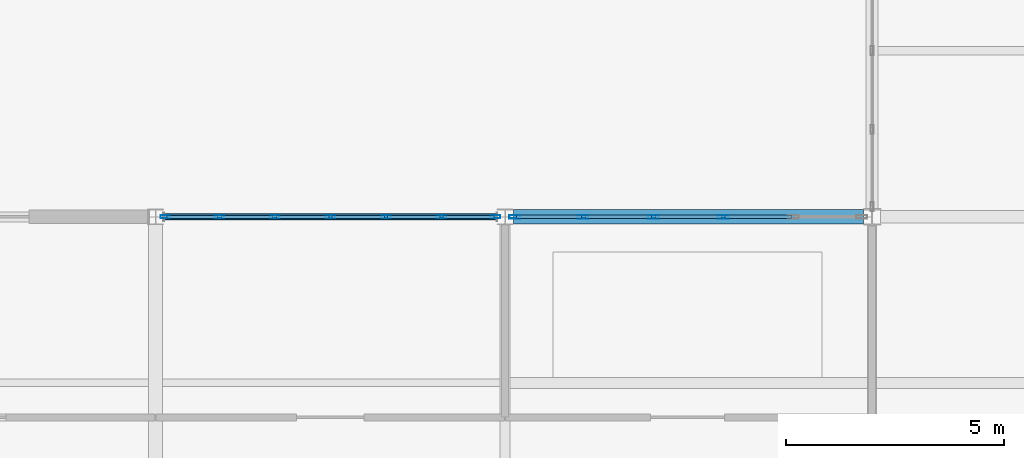
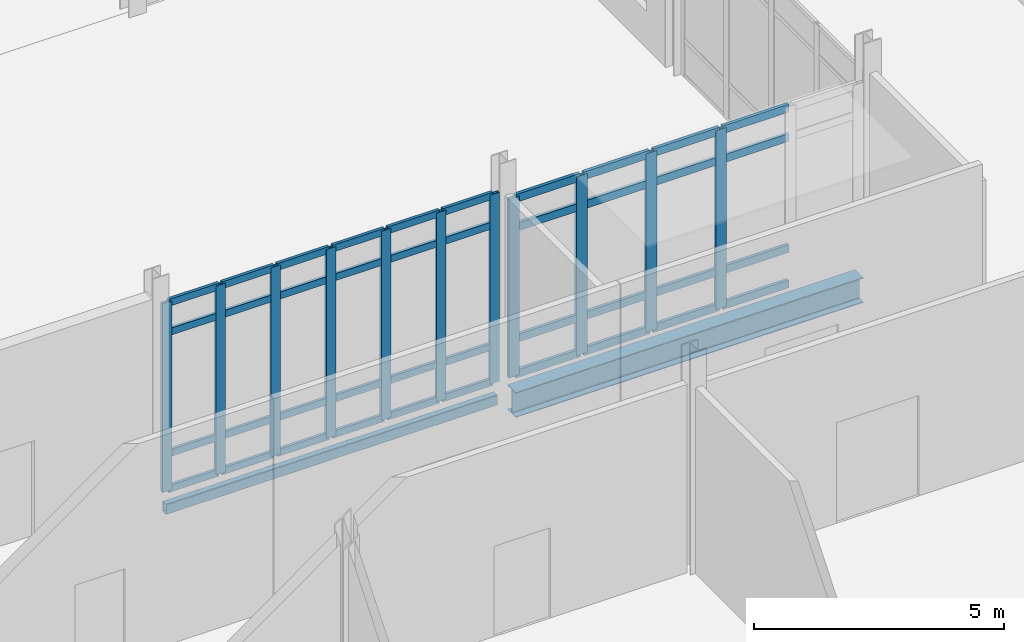
# One storey, part 105 of 229: 51 members, 2 beams, 2 elements without a shape of their own.
"""IFC4 building model written with IfcOpenShell, lengths in metres."""

from ifc_helpers import new_model, si_unit, direction, frame, origin, origin_2d, place, context, subcontext, project, spatial, hollow_rectangle, i_section, extrude, material, layer, layer_set, material_profile, profile_set, type_object, element, aggregate, save


model = new_model("IFC4")

# Units and contexts
model_context = context("Model", 3, precision=1e-05, world=origin(), true_north=direction((0.0, 1.0)))
body_context = subcontext(model_context, "Body", "Model", "MODEL_VIEW")
ifc_project = project(units=[si_unit("LENGTHUNIT", "METRE"), si_unit("AREAUNIT", "SQUARE_METRE"), si_unit("VOLUMEUNIT", "CUBIC_METRE"), si_unit("PLANEANGLEUNIT", "RADIAN"), si_unit("MASSUNIT", "GRAM", prefix="KILO")], contexts=[model_context])

# Site, building, storey
site_placement = place(None, origin())
site = spatial("IfcSite", under=ifc_project, at=site_placement, CompositionType="ELEMENT")
building_placement = place(site_placement, origin())
building = spatial("IfcBuilding", under=site, at=building_placement, Name="Calvrana Isthmian Art Gallery", CompositionType="ELEMENT")
storey_placement = place(building_placement, origin())
storey = spatial("IfcBuildingStorey", under=building, at=storey_placement, Name="L00", CompositionType="ELEMENT", Elevation=0.0)

# Beams
ifc_material_1 = material(Name="Steel ASTM A992 Gr 50", Category="steel")
ifc_material_profile_1 = material_profile(ifc_material_1, i_section(OverallWidth=0.324951171875, OverallDepth=0.612060546875, WebThickness=0.0126953125, FlangeThickness=0.01904296875, FilletRadius=0.02197265625, at=origin_2d()), Name="W24X104")
ifc_profile_set_1 = profile_set([ifc_material_profile_1], Name="Steel ASTM A992 Gr 50")
beam_type_1 = type_object("IfcBeamType", Name="BM-G-W24X104", PredefinedType="BEAM", material=ifc_profile_set_1)
beam_1_placement = place(storey_placement, frame((104.58642578125, 62.0, -0.611083984375), z_axis=(1.0, 0.0, 0.0), x_axis=(0.0, 1.0, 0.0)))
element("IfcBeam", 1, at=beam_1_placement, inside=storey, type_object=beam_type_1, Name="Girder X L00 14-15/I", PredefinedType="BEAM", context=body_context, shape_type="SweptSolid", body=[
    extrude(i_section(OverallWidth=0.324951171875, OverallDepth=0.612060546875, WebThickness=0.0126953125, FlangeThickness=0.01904296875, FilletRadius=0.02197265625, at=origin_2d()), origin(), (0.0, 0.0, 1.0), 8.015625),
])
ifc_material_2 = material(Name="Steel ASTM A500 Gr C", Category="steel")
ifc_material_profile_2 = material_profile(ifc_material_2, hollow_rectangle(XDim=0.15234375, YDim=0.25390625, WallThickness=0.009521484375, OuterFilletRadius=0.01904296875, at=origin_2d()), Name="HSS254X152X9.5")
ifc_profile_set_2 = profile_set([ifc_material_profile_2], Name="Steel ASTM A500 Gr C")
beam_type_2 = type_object("IfcBeamType", Name="BM-SP-HSS254", PredefinedType="SPANDREL", material=ifc_profile_set_2)
beam_2_placement = place(storey_placement, frame((96.583984375, 62.0, -0.412109375), z_axis=(1.0, 0.0, 0.0), x_axis=(0.0, 1.0, 0.0)))
element("IfcBeam", 2, at=beam_2_placement, inside=storey, type_object=beam_type_2, Name="Girder X L00 13-14/I", PredefinedType="SPANDREL", context=body_context, shape_type="SweptSolid", body=[
    extrude(hollow_rectangle(XDim=0.15234375, YDim=0.25390625, WallThickness=0.009521484375, OuterFilletRadius=0.01904296875, at=origin_2d()), origin(), (0.0, 0.0, 1.0), 7.62939453125),
])

# Curtain wall, members
ifc_material_3 = material(Name="Anodized bronze aluminium 6063-T6", Category="aluminium")
ifc_layer_1 = layer(ifc_material_3, 0.179931640625, Name="Anodized bronze aluminium 6063-T6")
ifc_layer_set_1 = layer_set([ifc_layer_1], Name="Anodized bronze aluminium 6063-T6")
curtain_wall_type_1 = type_object("IfcCurtainWallType", Name="CW-UNIT-076X46", PredefinedType="USERDEFINED", material=ifc_layer_set_1)
curtain_wall_1_placement = place(storey_placement, origin())
curtain_wall_1 = element("IfcCurtainWall", 3, at=curtain_wall_1_placement, inside=storey, type_object=curtain_wall_type_1, Name="Curtain wall CW-028", ObjectType="UNITISED CURTAIN WALL", PredefinedType="USERDEFINED")
ifc_material_profile_3 = material_profile(ifc_material_3, hollow_rectangle(XDim=0.074951171875, YDim=0.219970703125, WallThickness=0.0048828125, at=origin_2d()), Name="CWM75X220")
ifc_profile_set_3 = profile_set([ifc_material_profile_3], Name="Anodized bronze aluminium 6063-T6")
member_type_1 = type_object("IfcMemberType", Name="CWM-CWM75X220", PredefinedType="MULLION", material=ifc_profile_set_3)
member_1_placement = place(storey_placement, frame((96.623046875, 62.0, 0.0), z_axis=(0.0, 0.0, 1.0), x_axis=(0.0, 1.0, 0.0)))
member_1 = element("IfcMember", 4, at=member_1_placement, type_object=member_type_1, Name="CW-028 mullion 1", PredefinedType="MULLION", context=body_context, shape_type="SweptSolid", body=[
    extrude(hollow_rectangle(XDim=0.074951171875, YDim=0.219970703125, WallThickness=0.0048828125, at=origin_2d()), origin(), (0.0, 0.0, 1.0), 4.60693359375),
])
member_2_placement = place(storey_placement, frame((97.857177734375, 62.0, 0.0), z_axis=(0.0, 0.0, 1.0), x_axis=(0.0, 1.0, 0.0)))
member_2 = element("IfcMember", 5, at=member_2_placement, type_object=member_type_1, Name="CW-028 mullion 2", PredefinedType="MULLION", context=body_context, shape_type="SweptSolid", body=[
    extrude(hollow_rectangle(XDim=0.074951171875, YDim=0.219970703125, WallThickness=0.0048828125, at=origin_2d()), origin(), (0.0, 0.0, 1.0), 4.60693359375),
])
member_3_placement = place(storey_placement, frame((99.12890625, 62.0, 0.0), z_axis=(0.0, 0.0, 1.0), x_axis=(0.0, 1.0, 0.0)))
member_3 = element("IfcMember", 6, at=member_3_placement, type_object=member_type_1, Name="CW-028 mullion 3", PredefinedType="MULLION", context=body_context, shape_type="SweptSolid", body=[
    extrude(hollow_rectangle(XDim=0.074951171875, YDim=0.219970703125, WallThickness=0.0048828125, at=origin_2d()), origin(), (0.0, 0.0, 1.0), 4.60693359375),
])
member_4_placement = place(storey_placement, frame((100.400634765625, 62.0, 0.0), z_axis=(0.0, 0.0, 1.0), x_axis=(0.0, 1.0, 0.0)))
member_4 = element("IfcMember", 7, at=member_4_placement, type_object=member_type_1, Name="CW-028 mullion 4", PredefinedType="MULLION", context=body_context, shape_type="SweptSolid", body=[
    extrude(hollow_rectangle(XDim=0.074951171875, YDim=0.219970703125, WallThickness=0.0048828125, at=origin_2d()), origin(), (0.0, 0.0, 1.0), 4.60693359375),
])
member_5_placement = place(storey_placement, frame((101.672607421875, 62.0, 0.0), z_axis=(0.0, 0.0, 1.0), x_axis=(0.0, 1.0, 0.0)))
member_5 = element("IfcMember", 8, at=member_5_placement, type_object=member_type_1, Name="CW-028 mullion 5", PredefinedType="MULLION", context=body_context, shape_type="SweptSolid", body=[
    extrude(hollow_rectangle(XDim=0.074951171875, YDim=0.219970703125, WallThickness=0.0048828125, at=origin_2d()), origin(), (0.0, 0.0, 1.0), 4.60693359375),
])
member_6_placement = place(storey_placement, frame((102.9443359375, 62.0, 0.0), z_axis=(0.0, 0.0, 1.0), x_axis=(0.0, 1.0, 0.0)))
member_6 = element("IfcMember", 9, at=member_6_placement, type_object=member_type_1, Name="CW-028 mullion 6", PredefinedType="MULLION", context=body_context, shape_type="SweptSolid", body=[
    extrude(hollow_rectangle(XDim=0.074951171875, YDim=0.219970703125, WallThickness=0.0048828125, at=origin_2d()), origin(), (0.0, 0.0, 1.0), 4.60693359375),
])
member_7_placement = place(storey_placement, frame((104.178466796875, 62.0, 0.0), z_axis=(0.0, 0.0, 1.0), x_axis=(0.0, 1.0, 0.0)))
member_7 = element("IfcMember", 10, at=member_7_placement, type_object=member_type_1, Name="CW-028 mullion 7", PredefinedType="MULLION", context=body_context, shape_type="SweptSolid", body=[
    extrude(hollow_rectangle(XDim=0.074951171875, YDim=0.219970703125, WallThickness=0.0048828125, at=origin_2d()), origin(), (0.0, 0.0, 1.0), 4.60693359375),
])

ifc_layer_2 = layer(ifc_material_3, 0.179931640625, Name="Anodized bronze aluminium 6063-T6")
ifc_layer_set_2 = layer_set([ifc_layer_2], Name="Anodized bronze aluminium 6063-T6")
curtain_wall_type_2 = type_object("IfcCurtainWallType", Name="CW-UNIT-080X44", PredefinedType="USERDEFINED", material=ifc_layer_set_2)
curtain_wall_2_placement = place(storey_placement, origin())
curtain_wall_2 = element("IfcCurtainWall", 11, at=curtain_wall_2_placement, inside=storey, type_object=curtain_wall_type_2, Name="Curtain wall CW-029", ObjectType="UNITISED CURTAIN WALL", PredefinedType="USERDEFINED")
ifc_material_profile_4 = material_profile(ifc_material_3, hollow_rectangle(XDim=0.080078125, YDim=0.25, WallThickness=0.005615234375, at=origin_2d()), Name="CWM80X250")
ifc_profile_set_4 = profile_set([ifc_material_profile_4], Name="Anodized bronze aluminium 6063-T6")
member_type_2 = type_object("IfcMemberType", Name="CWM-CWM80X250", PredefinedType="MULLION", material=ifc_profile_set_4)
member_8_placement = place(storey_placement, frame((104.6240234375, 62.0, 0.0), z_axis=(0.0, 0.0, 1.0), x_axis=(0.0, 1.0, 0.0)))
member_8 = element("IfcMember", 12, at=member_8_placement, type_object=member_type_2, Name="CW-029 mullion 1", PredefinedType="MULLION", context=body_context, shape_type="SweptSolid", body=[
    extrude(hollow_rectangle(XDim=0.080078125, YDim=0.25, WallThickness=0.005615234375, at=origin_2d()), origin(), (0.0, 0.0, 1.0), 4.35791015625),
])
member_9_placement = place(storey_placement, frame((106.187255859375, 62.0, 0.0), z_axis=(0.0, 0.0, 1.0), x_axis=(0.0, 1.0, 0.0)))
member_9 = element("IfcMember", 13, at=member_9_placement, type_object=member_type_2, Name="CW-029 mullion 2", PredefinedType="MULLION", context=body_context, shape_type="SweptSolid", body=[
    extrude(hollow_rectangle(XDim=0.080078125, YDim=0.25, WallThickness=0.005615234375, at=origin_2d()), origin(), (0.0, 0.0, 1.0), 4.35791015625),
])
member_10_placement = place(storey_placement, frame((107.79052734375, 62.0, 0.0), z_axis=(0.0, 0.0, 1.0), x_axis=(0.0, 1.0, 0.0)))
member_10 = element("IfcMember", 14, at=member_10_placement, type_object=member_type_2, Name="CW-029 mullion 3", PredefinedType="MULLION", context=body_context, shape_type="SweptSolid", body=[
    extrude(hollow_rectangle(XDim=0.080078125, YDim=0.25, WallThickness=0.005615234375, at=origin_2d()), origin(), (0.0, 0.0, 1.0), 4.35791015625),
])
member_11_placement = place(storey_placement, frame((109.393798828125, 62.0, 0.0), z_axis=(0.0, 0.0, 1.0), x_axis=(0.0, 1.0, 0.0)))
member_11 = element("IfcMember", 15, at=member_11_placement, type_object=member_type_2, Name="CW-029 mullion 4", PredefinedType="MULLION", context=body_context, shape_type="SweptSolid", body=[
    extrude(hollow_rectangle(XDim=0.080078125, YDim=0.25, WallThickness=0.005615234375, at=origin_2d()), origin(), (0.0, 0.0, 1.0), 4.35791015625),
])

# Member
ifc_material_profile_5 = material_profile(ifc_material_3, hollow_rectangle(XDim=0.070068359375, YDim=0.169921875, WallThickness=0.00439453125, at=origin_2d()), Name="CWT70X170")
ifc_profile_set_5 = profile_set([ifc_material_profile_5], Name="Anodized bronze aluminium 6063-T6")
member_type_3 = type_object("IfcMemberType", Name="CWT-CWT70X170", PredefinedType="USERDEFINED", material=ifc_profile_set_5)
member_12_placement = place(storey_placement, frame((96.660400390625, 62.0, 0.034912109375), z_axis=(1.0, 0.0, 0.0), x_axis=(0.0, 1.0, 0.0)))
member_12 = element("IfcMember", 16, at=member_12_placement, type_object=member_type_3, Name="CW-028 transom 1.1", ObjectType="TRANSOM", PredefinedType="USERDEFINED", context=body_context, shape_type="SweptSolid", body=[
    extrude(hollow_rectangle(XDim=0.070068359375, YDim=0.169921875, WallThickness=0.00439453125, at=origin_2d()), origin(), (0.0, 0.0, 1.0), 1.159423828125),
])

member_13_placement = place(storey_placement, frame((96.660400390625, 62.0, 0.89990234375), z_axis=(1.0, 0.0, 0.0), x_axis=(0.0, 1.0, 0.0)))
member_13 = element("IfcMember", 17, at=member_13_placement, type_object=member_type_3, Name="CW-028 transom 1.2", ObjectType="TRANSOM", PredefinedType="USERDEFINED", context=body_context, shape_type="SweptSolid", body=[
    extrude(hollow_rectangle(XDim=0.070068359375, YDim=0.169921875, WallThickness=0.00439453125, at=origin_2d()), origin(), (0.0, 0.0, 1.0), 1.159423828125),
])

member_14_placement = place(storey_placement, frame((96.660400390625, 62.0, 3.85693359375), z_axis=(1.0, 0.0, 0.0), x_axis=(0.0, 1.0, 0.0)))
member_14 = element("IfcMember", 18, at=member_14_placement, type_object=member_type_3, Name="CW-028 transom 1.3", ObjectType="TRANSOM", PredefinedType="USERDEFINED", context=body_context, shape_type="SweptSolid", body=[
    extrude(hollow_rectangle(XDim=0.070068359375, YDim=0.169921875, WallThickness=0.00439453125, at=origin_2d()), origin(), (0.0, 0.0, 1.0), 1.159423828125),
])

member_15_placement = place(storey_placement, frame((96.660400390625, 62.0, 4.572021484375), z_axis=(1.0, 0.0, 0.0), x_axis=(0.0, 1.0, 0.0)))
member_15 = element("IfcMember", 19, at=member_15_placement, type_object=member_type_3, Name="CW-028 transom 1.4", ObjectType="TRANSOM", PredefinedType="USERDEFINED", context=body_context, shape_type="SweptSolid", body=[
    extrude(hollow_rectangle(XDim=0.070068359375, YDim=0.169921875, WallThickness=0.00439453125, at=origin_2d()), origin(), (0.0, 0.0, 1.0), 1.159423828125),
])

member_16_placement = place(storey_placement, frame((97.894775390625, 62.0, 0.034912109375), z_axis=(1.0, 0.0, 0.0), x_axis=(0.0, 1.0, 0.0)))
member_16 = element("IfcMember", 20, at=member_16_placement, type_object=member_type_3, Name="CW-028 transom 2.1", ObjectType="TRANSOM", PredefinedType="USERDEFINED", context=body_context, shape_type="SweptSolid", body=[
    extrude(hollow_rectangle(XDim=0.070068359375, YDim=0.169921875, WallThickness=0.00439453125, at=origin_2d()), origin(), (0.0, 0.0, 1.0), 1.19677734375),
])

member_17_placement = place(storey_placement, frame((97.894775390625, 62.0, 0.89990234375), z_axis=(1.0, 0.0, 0.0), x_axis=(0.0, 1.0, 0.0)))
member_17 = element("IfcMember", 21, at=member_17_placement, type_object=member_type_3, Name="CW-028 transom 2.2", ObjectType="TRANSOM", PredefinedType="USERDEFINED", context=body_context, shape_type="SweptSolid", body=[
    extrude(hollow_rectangle(XDim=0.070068359375, YDim=0.169921875, WallThickness=0.00439453125, at=origin_2d()), origin(), (0.0, 0.0, 1.0), 1.19677734375),
])

member_18_placement = place(storey_placement, frame((97.894775390625, 62.0, 3.85693359375), z_axis=(1.0, 0.0, 0.0), x_axis=(0.0, 1.0, 0.0)))
member_18 = element("IfcMember", 22, at=member_18_placement, type_object=member_type_3, Name="CW-028 transom 2.3", ObjectType="TRANSOM", PredefinedType="USERDEFINED", context=body_context, shape_type="SweptSolid", body=[
    extrude(hollow_rectangle(XDim=0.070068359375, YDim=0.169921875, WallThickness=0.00439453125, at=origin_2d()), origin(), (0.0, 0.0, 1.0), 1.19677734375),
])

member_19_placement = place(storey_placement, frame((97.894775390625, 62.0, 4.572021484375), z_axis=(1.0, 0.0, 0.0), x_axis=(0.0, 1.0, 0.0)))
member_19 = element("IfcMember", 23, at=member_19_placement, type_object=member_type_3, Name="CW-028 transom 2.4", ObjectType="TRANSOM", PredefinedType="USERDEFINED", context=body_context, shape_type="SweptSolid", body=[
    extrude(hollow_rectangle(XDim=0.070068359375, YDim=0.169921875, WallThickness=0.00439453125, at=origin_2d()), origin(), (0.0, 0.0, 1.0), 1.19677734375),
])

member_20_placement = place(storey_placement, frame((99.16650390625, 62.0, 0.034912109375), z_axis=(1.0, 0.0, 0.0), x_axis=(0.0, 1.0, 0.0)))
member_20 = element("IfcMember", 24, at=member_20_placement, type_object=member_type_3, Name="CW-028 transom 3.1", ObjectType="TRANSOM", PredefinedType="USERDEFINED", context=body_context, shape_type="SweptSolid", body=[
    extrude(hollow_rectangle(XDim=0.070068359375, YDim=0.169921875, WallThickness=0.00439453125, at=origin_2d()), origin(), (0.0, 0.0, 1.0), 1.19677734375),
])

member_21_placement = place(storey_placement, frame((99.16650390625, 62.0, 0.89990234375), z_axis=(1.0, 0.0, 0.0), x_axis=(0.0, 1.0, 0.0)))
member_21 = element("IfcMember", 25, at=member_21_placement, type_object=member_type_3, Name="CW-028 transom 3.2", ObjectType="TRANSOM", PredefinedType="USERDEFINED", context=body_context, shape_type="SweptSolid", body=[
    extrude(hollow_rectangle(XDim=0.070068359375, YDim=0.169921875, WallThickness=0.00439453125, at=origin_2d()), origin(), (0.0, 0.0, 1.0), 1.19677734375),
])

member_22_placement = place(storey_placement, frame((99.16650390625, 62.0, 3.85693359375), z_axis=(1.0, 0.0, 0.0), x_axis=(0.0, 1.0, 0.0)))
member_22 = element("IfcMember", 26, at=member_22_placement, type_object=member_type_3, Name="CW-028 transom 3.3", ObjectType="TRANSOM", PredefinedType="USERDEFINED", context=body_context, shape_type="SweptSolid", body=[
    extrude(hollow_rectangle(XDim=0.070068359375, YDim=0.169921875, WallThickness=0.00439453125, at=origin_2d()), origin(), (0.0, 0.0, 1.0), 1.19677734375),
])

member_23_placement = place(storey_placement, frame((99.16650390625, 62.0, 4.572021484375), z_axis=(1.0, 0.0, 0.0), x_axis=(0.0, 1.0, 0.0)))
member_23 = element("IfcMember", 27, at=member_23_placement, type_object=member_type_3, Name="CW-028 transom 3.4", ObjectType="TRANSOM", PredefinedType="USERDEFINED", context=body_context, shape_type="SweptSolid", body=[
    extrude(hollow_rectangle(XDim=0.070068359375, YDim=0.169921875, WallThickness=0.00439453125, at=origin_2d()), origin(), (0.0, 0.0, 1.0), 1.19677734375),
])

member_24_placement = place(storey_placement, frame((100.438232421875, 62.0, 0.034912109375), z_axis=(1.0, 0.0, 0.0), x_axis=(0.0, 1.0, 0.0)))
member_24 = element("IfcMember", 28, at=member_24_placement, type_object=member_type_3, Name="CW-028 transom 4.1", ObjectType="TRANSOM", PredefinedType="USERDEFINED", context=body_context, shape_type="SweptSolid", body=[
    extrude(hollow_rectangle(XDim=0.070068359375, YDim=0.169921875, WallThickness=0.00439453125, at=origin_2d()), origin(), (0.0, 0.0, 1.0), 1.19677734375),
])

member_25_placement = place(storey_placement, frame((100.438232421875, 62.0, 0.89990234375), z_axis=(1.0, 0.0, 0.0), x_axis=(0.0, 1.0, 0.0)))
member_25 = element("IfcMember", 29, at=member_25_placement, type_object=member_type_3, Name="CW-028 transom 4.2", ObjectType="TRANSOM", PredefinedType="USERDEFINED", context=body_context, shape_type="SweptSolid", body=[
    extrude(hollow_rectangle(XDim=0.070068359375, YDim=0.169921875, WallThickness=0.00439453125, at=origin_2d()), origin(), (0.0, 0.0, 1.0), 1.19677734375),
])

member_26_placement = place(storey_placement, frame((100.438232421875, 62.0, 3.85693359375), z_axis=(1.0, 0.0, 0.0), x_axis=(0.0, 1.0, 0.0)))
member_26 = element("IfcMember", 30, at=member_26_placement, type_object=member_type_3, Name="CW-028 transom 4.3", ObjectType="TRANSOM", PredefinedType="USERDEFINED", context=body_context, shape_type="SweptSolid", body=[
    extrude(hollow_rectangle(XDim=0.070068359375, YDim=0.169921875, WallThickness=0.00439453125, at=origin_2d()), origin(), (0.0, 0.0, 1.0), 1.19677734375),
])

member_27_placement = place(storey_placement, frame((100.438232421875, 62.0, 4.572021484375), z_axis=(1.0, 0.0, 0.0), x_axis=(0.0, 1.0, 0.0)))
member_27 = element("IfcMember", 31, at=member_27_placement, type_object=member_type_3, Name="CW-028 transom 4.4", ObjectType="TRANSOM", PredefinedType="USERDEFINED", context=body_context, shape_type="SweptSolid", body=[
    extrude(hollow_rectangle(XDim=0.070068359375, YDim=0.169921875, WallThickness=0.00439453125, at=origin_2d()), origin(), (0.0, 0.0, 1.0), 1.19677734375),
])

member_28_placement = place(storey_placement, frame((101.7099609375, 62.0, 0.034912109375), z_axis=(1.0, 0.0, 0.0), x_axis=(0.0, 1.0, 0.0)))
member_28 = element("IfcMember", 32, at=member_28_placement, type_object=member_type_3, Name="CW-028 transom 5.1", ObjectType="TRANSOM", PredefinedType="USERDEFINED", context=body_context, shape_type="SweptSolid", body=[
    extrude(hollow_rectangle(XDim=0.070068359375, YDim=0.169921875, WallThickness=0.00439453125, at=origin_2d()), origin(), (0.0, 0.0, 1.0), 1.19677734375),
])

member_29_placement = place(storey_placement, frame((101.7099609375, 62.0, 0.89990234375), z_axis=(1.0, 0.0, 0.0), x_axis=(0.0, 1.0, 0.0)))
member_29 = element("IfcMember", 33, at=member_29_placement, type_object=member_type_3, Name="CW-028 transom 5.2", ObjectType="TRANSOM", PredefinedType="USERDEFINED", context=body_context, shape_type="SweptSolid", body=[
    extrude(hollow_rectangle(XDim=0.070068359375, YDim=0.169921875, WallThickness=0.00439453125, at=origin_2d()), origin(), (0.0, 0.0, 1.0), 1.19677734375),
])

member_30_placement = place(storey_placement, frame((101.7099609375, 62.0, 3.85693359375), z_axis=(1.0, 0.0, 0.0), x_axis=(0.0, 1.0, 0.0)))
member_30 = element("IfcMember", 34, at=member_30_placement, type_object=member_type_3, Name="CW-028 transom 5.3", ObjectType="TRANSOM", PredefinedType="USERDEFINED", context=body_context, shape_type="SweptSolid", body=[
    extrude(hollow_rectangle(XDim=0.070068359375, YDim=0.169921875, WallThickness=0.00439453125, at=origin_2d()), origin(), (0.0, 0.0, 1.0), 1.19677734375),
])

member_31_placement = place(storey_placement, frame((101.7099609375, 62.0, 4.572021484375), z_axis=(1.0, 0.0, 0.0), x_axis=(0.0, 1.0, 0.0)))
member_31 = element("IfcMember", 35, at=member_31_placement, type_object=member_type_3, Name="CW-028 transom 5.4", ObjectType="TRANSOM", PredefinedType="USERDEFINED", context=body_context, shape_type="SweptSolid", body=[
    extrude(hollow_rectangle(XDim=0.070068359375, YDim=0.169921875, WallThickness=0.00439453125, at=origin_2d()), origin(), (0.0, 0.0, 1.0), 1.19677734375),
])

member_32_placement = place(storey_placement, frame((102.981689453125, 62.0, 0.034912109375), z_axis=(1.0, 0.0, 0.0), x_axis=(0.0, 1.0, 0.0)))
member_32 = element("IfcMember", 36, at=member_32_placement, type_object=member_type_3, Name="CW-028 transom 6.1", ObjectType="TRANSOM", PredefinedType="USERDEFINED", context=body_context, shape_type="SweptSolid", body=[
    extrude(hollow_rectangle(XDim=0.070068359375, YDim=0.169921875, WallThickness=0.00439453125, at=origin_2d()), origin(), (0.0, 0.0, 1.0), 1.159423828125),
])

member_33_placement = place(storey_placement, frame((102.981689453125, 62.0, 0.89990234375), z_axis=(1.0, 0.0, 0.0), x_axis=(0.0, 1.0, 0.0)))
member_33 = element("IfcMember", 37, at=member_33_placement, type_object=member_type_3, Name="CW-028 transom 6.2", ObjectType="TRANSOM", PredefinedType="USERDEFINED", context=body_context, shape_type="SweptSolid", body=[
    extrude(hollow_rectangle(XDim=0.070068359375, YDim=0.169921875, WallThickness=0.00439453125, at=origin_2d()), origin(), (0.0, 0.0, 1.0), 1.159423828125),
])

member_34_placement = place(storey_placement, frame((102.981689453125, 62.0, 3.85693359375), z_axis=(1.0, 0.0, 0.0), x_axis=(0.0, 1.0, 0.0)))
member_34 = element("IfcMember", 38, at=member_34_placement, type_object=member_type_3, Name="CW-028 transom 6.3", ObjectType="TRANSOM", PredefinedType="USERDEFINED", context=body_context, shape_type="SweptSolid", body=[
    extrude(hollow_rectangle(XDim=0.070068359375, YDim=0.169921875, WallThickness=0.00439453125, at=origin_2d()), origin(), (0.0, 0.0, 1.0), 1.159423828125),
])

member_35_placement = place(storey_placement, frame((102.981689453125, 62.0, 4.572021484375), z_axis=(1.0, 0.0, 0.0), x_axis=(0.0, 1.0, 0.0)))
member_35 = element("IfcMember", 39, at=member_35_placement, type_object=member_type_3, Name="CW-028 transom 6.4", ObjectType="TRANSOM", PredefinedType="USERDEFINED", context=body_context, shape_type="SweptSolid", body=[
    extrude(hollow_rectangle(XDim=0.070068359375, YDim=0.169921875, WallThickness=0.00439453125, at=origin_2d()), origin(), (0.0, 0.0, 1.0), 1.159423828125),
])

aggregate(curtain_wall_1, [member_1, member_2, member_3, member_4, member_5, member_6, member_7, member_12, member_13, member_14, member_15, member_16, member_17, member_18, member_19, member_20, member_21, member_22, member_23, member_24, member_25, member_26, member_27, member_28, member_29, member_30, member_31, member_32, member_33, member_34, member_35])

ifc_material_profile_6 = material_profile(ifc_material_3, hollow_rectangle(XDim=0.074951171875, YDim=0.18994140625, WallThickness=0.00439453125, at=origin_2d()), Name="CWT75X190")
ifc_profile_set_6 = profile_set([ifc_material_profile_6], Name="Anodized bronze aluminium 6063-T6")
member_type_4 = type_object("IfcMemberType", Name="CWT-CWT75X190", PredefinedType="USERDEFINED", material=ifc_profile_set_6)
member_36_placement = place(storey_placement, frame((104.6640625, 62.0, 0.03759765625), z_axis=(1.0, 0.0, 0.0), x_axis=(0.0, 1.0, 0.0)))
member_36 = element("IfcMember", 40, at=member_36_placement, type_object=member_type_4, Name="CW-029 transom 1.1", ObjectType="TRANSOM", PredefinedType="USERDEFINED", context=body_context, shape_type="SweptSolid", body=[
    extrude(hollow_rectangle(XDim=0.074951171875, YDim=0.18994140625, WallThickness=0.00439453125, at=origin_2d()), origin(), (0.0, 0.0, 1.0), 1.483154296875),
])

member_37_placement = place(storey_placement, frame((104.6640625, 62.0, 0.89990234375), z_axis=(1.0, 0.0, 0.0), x_axis=(0.0, 1.0, 0.0)))
member_37 = element("IfcMember", 41, at=member_37_placement, type_object=member_type_4, Name="CW-029 transom 1.2", ObjectType="TRANSOM", PredefinedType="USERDEFINED", context=body_context, shape_type="SweptSolid", body=[
    extrude(hollow_rectangle(XDim=0.074951171875, YDim=0.18994140625, WallThickness=0.00439453125, at=origin_2d()), origin(), (0.0, 0.0, 1.0), 1.483154296875),
])

member_38_placement = place(storey_placement, frame((104.6640625, 62.0, 3.60791015625), z_axis=(1.0, 0.0, 0.0), x_axis=(0.0, 1.0, 0.0)))
member_38 = element("IfcMember", 42, at=member_38_placement, type_object=member_type_4, Name="CW-029 transom 1.3", ObjectType="TRANSOM", PredefinedType="USERDEFINED", context=body_context, shape_type="SweptSolid", body=[
    extrude(hollow_rectangle(XDim=0.074951171875, YDim=0.18994140625, WallThickness=0.00439453125, at=origin_2d()), origin(), (0.0, 0.0, 1.0), 1.483154296875),
])

member_39_placement = place(storey_placement, frame((104.6640625, 62.0, 4.320556640625), z_axis=(1.0, 0.0, 0.0), x_axis=(0.0, 1.0, 0.0)))
member_39 = element("IfcMember", 43, at=member_39_placement, type_object=member_type_4, Name="CW-029 transom 1.4", ObjectType="TRANSOM", PredefinedType="USERDEFINED", context=body_context, shape_type="SweptSolid", body=[
    extrude(hollow_rectangle(XDim=0.074951171875, YDim=0.18994140625, WallThickness=0.00439453125, at=origin_2d()), origin(), (0.0, 0.0, 1.0), 1.483154296875),
])

member_40_placement = place(storey_placement, frame((106.227294921875, 62.0, 0.03759765625), z_axis=(1.0, 0.0, 0.0), x_axis=(0.0, 1.0, 0.0)))
member_40 = element("IfcMember", 44, at=member_40_placement, type_object=member_type_4, Name="CW-029 transom 2.1", ObjectType="TRANSOM", PredefinedType="USERDEFINED", context=body_context, shape_type="SweptSolid", body=[
    extrude(hollow_rectangle(XDim=0.074951171875, YDim=0.18994140625, WallThickness=0.00439453125, at=origin_2d()), origin(), (0.0, 0.0, 1.0), 1.523193359375),
])

member_41_placement = place(storey_placement, frame((106.227294921875, 62.0, 0.89990234375), z_axis=(1.0, 0.0, 0.0), x_axis=(0.0, 1.0, 0.0)))
member_41 = element("IfcMember", 45, at=member_41_placement, type_object=member_type_4, Name="CW-029 transom 2.2", ObjectType="TRANSOM", PredefinedType="USERDEFINED", context=body_context, shape_type="SweptSolid", body=[
    extrude(hollow_rectangle(XDim=0.074951171875, YDim=0.18994140625, WallThickness=0.00439453125, at=origin_2d()), origin(), (0.0, 0.0, 1.0), 1.523193359375),
])

member_42_placement = place(storey_placement, frame((106.227294921875, 62.0, 3.60791015625), z_axis=(1.0, 0.0, 0.0), x_axis=(0.0, 1.0, 0.0)))
member_42 = element("IfcMember", 46, at=member_42_placement, type_object=member_type_4, Name="CW-029 transom 2.3", ObjectType="TRANSOM", PredefinedType="USERDEFINED", context=body_context, shape_type="SweptSolid", body=[
    extrude(hollow_rectangle(XDim=0.074951171875, YDim=0.18994140625, WallThickness=0.00439453125, at=origin_2d()), origin(), (0.0, 0.0, 1.0), 1.523193359375),
])

member_43_placement = place(storey_placement, frame((106.227294921875, 62.0, 4.320556640625), z_axis=(1.0, 0.0, 0.0), x_axis=(0.0, 1.0, 0.0)))
member_43 = element("IfcMember", 47, at=member_43_placement, type_object=member_type_4, Name="CW-029 transom 2.4", ObjectType="TRANSOM", PredefinedType="USERDEFINED", context=body_context, shape_type="SweptSolid", body=[
    extrude(hollow_rectangle(XDim=0.074951171875, YDim=0.18994140625, WallThickness=0.00439453125, at=origin_2d()), origin(), (0.0, 0.0, 1.0), 1.523193359375),
])

member_44_placement = place(storey_placement, frame((107.83056640625, 62.0, 0.03759765625), z_axis=(1.0, 0.0, 0.0), x_axis=(0.0, 1.0, 0.0)))
member_44 = element("IfcMember", 48, at=member_44_placement, type_object=member_type_4, Name="CW-029 transom 3.1", ObjectType="TRANSOM", PredefinedType="USERDEFINED", context=body_context, shape_type="SweptSolid", body=[
    extrude(hollow_rectangle(XDim=0.074951171875, YDim=0.18994140625, WallThickness=0.00439453125, at=origin_2d()), origin(), (0.0, 0.0, 1.0), 1.5234375),
])

member_45_placement = place(storey_placement, frame((107.83056640625, 62.0, 0.89990234375), z_axis=(1.0, 0.0, 0.0), x_axis=(0.0, 1.0, 0.0)))
member_45 = element("IfcMember", 49, at=member_45_placement, type_object=member_type_4, Name="CW-029 transom 3.2", ObjectType="TRANSOM", PredefinedType="USERDEFINED", context=body_context, shape_type="SweptSolid", body=[
    extrude(hollow_rectangle(XDim=0.074951171875, YDim=0.18994140625, WallThickness=0.00439453125, at=origin_2d()), origin(), (0.0, 0.0, 1.0), 1.5234375),
])

member_46_placement = place(storey_placement, frame((107.83056640625, 62.0, 3.60791015625), z_axis=(1.0, 0.0, 0.0), x_axis=(0.0, 1.0, 0.0)))
member_46 = element("IfcMember", 50, at=member_46_placement, type_object=member_type_4, Name="CW-029 transom 3.3", ObjectType="TRANSOM", PredefinedType="USERDEFINED", context=body_context, shape_type="SweptSolid", body=[
    extrude(hollow_rectangle(XDim=0.074951171875, YDim=0.18994140625, WallThickness=0.00439453125, at=origin_2d()), origin(), (0.0, 0.0, 1.0), 1.5234375),
])

member_47_placement = place(storey_placement, frame((107.83056640625, 62.0, 4.320556640625), z_axis=(1.0, 0.0, 0.0), x_axis=(0.0, 1.0, 0.0)))
member_47 = element("IfcMember", 51, at=member_47_placement, type_object=member_type_4, Name="CW-029 transom 3.4", ObjectType="TRANSOM", PredefinedType="USERDEFINED", context=body_context, shape_type="SweptSolid", body=[
    extrude(hollow_rectangle(XDim=0.074951171875, YDim=0.18994140625, WallThickness=0.00439453125, at=origin_2d()), origin(), (0.0, 0.0, 1.0), 1.5234375),
])

member_48_placement = place(storey_placement, frame((109.433837890625, 62.0, 0.03759765625), z_axis=(1.0, 0.0, 0.0), x_axis=(0.0, 1.0, 0.0)))
member_48 = element("IfcMember", 52, at=member_48_placement, type_object=member_type_4, Name="CW-029 transom 4.1", ObjectType="TRANSOM", PredefinedType="USERDEFINED", context=body_context, shape_type="SweptSolid", body=[
    extrude(hollow_rectangle(XDim=0.074951171875, YDim=0.18994140625, WallThickness=0.00439453125, at=origin_2d()), origin(), (0.0, 0.0, 1.0), 1.5234375),
])

member_49_placement = place(storey_placement, frame((109.433837890625, 62.0, 0.89990234375), z_axis=(1.0, 0.0, 0.0), x_axis=(0.0, 1.0, 0.0)))
member_49 = element("IfcMember", 53, at=member_49_placement, type_object=member_type_4, Name="CW-029 transom 4.2", ObjectType="TRANSOM", PredefinedType="USERDEFINED", context=body_context, shape_type="SweptSolid", body=[
    extrude(hollow_rectangle(XDim=0.074951171875, YDim=0.18994140625, WallThickness=0.00439453125, at=origin_2d()), origin(), (0.0, 0.0, 1.0), 1.5234375),
])

member_50_placement = place(storey_placement, frame((109.433837890625, 62.0, 3.60791015625), z_axis=(1.0, 0.0, 0.0), x_axis=(0.0, 1.0, 0.0)))
member_50 = element("IfcMember", 54, at=member_50_placement, type_object=member_type_4, Name="CW-029 transom 4.3", ObjectType="TRANSOM", PredefinedType="USERDEFINED", context=body_context, shape_type="SweptSolid", body=[
    extrude(hollow_rectangle(XDim=0.074951171875, YDim=0.18994140625, WallThickness=0.00439453125, at=origin_2d()), origin(), (0.0, 0.0, 1.0), 1.5234375),
])

member_51_placement = place(storey_placement, frame((109.433837890625, 62.0, 4.320556640625), z_axis=(1.0, 0.0, 0.0), x_axis=(0.0, 1.0, 0.0)))
member_51 = element("IfcMember", 55, at=member_51_placement, type_object=member_type_4, Name="CW-029 transom 4.4", ObjectType="TRANSOM", PredefinedType="USERDEFINED", context=body_context, shape_type="SweptSolid", body=[
    extrude(hollow_rectangle(XDim=0.074951171875, YDim=0.18994140625, WallThickness=0.00439453125, at=origin_2d()), origin(), (0.0, 0.0, 1.0), 1.5234375),
])

aggregate(curtain_wall_2, [member_8, member_9, member_10, member_11, member_36, member_37, member_38, member_39, member_40, member_41, member_42, member_43, member_44, member_45, member_46, member_47, member_48, member_49, member_50, member_51])

save(model, "model.ifc")
